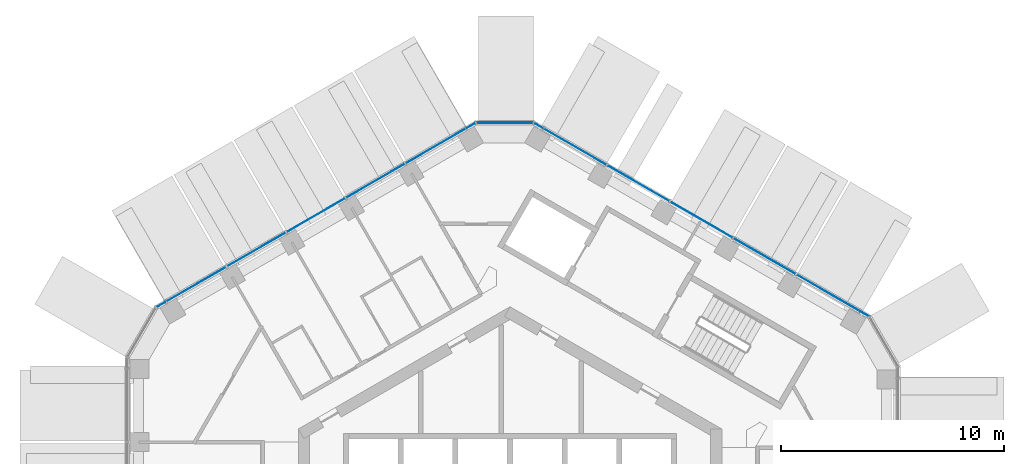
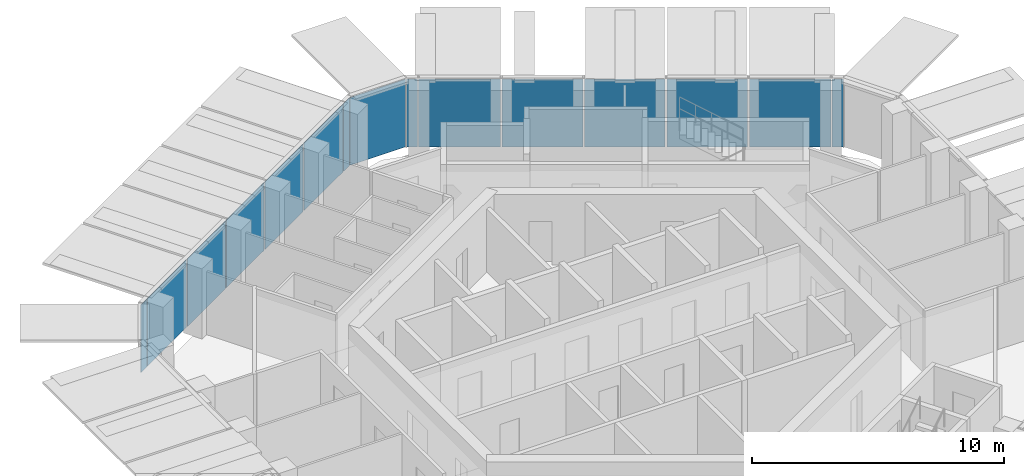
# One storey, part 11 of 17: 15 plates, 5 elements without a shape of their own.
"""IFC4 building model written with IfcOpenShell, lengths in metres."""

from ifc_helpers import new_model, si_unit, direction, frame, origin, origin_2d, place, context, subcontext, project, spatial, rectangle, extrude, material, layer, layer_set, type_object, element, aggregate, save


model = new_model("IFC4")

# Units and contexts
model_context = context("Model", 3, precision=1e-05, world=origin(), true_north=direction((0.0, 1.0)))
body_context = subcontext(model_context, "Body", "Model", "MODEL_VIEW")
ifc_project = project(units=[si_unit("LENGTHUNIT", "METRE"), si_unit("AREAUNIT", "SQUARE_METRE"), si_unit("VOLUMEUNIT", "CUBIC_METRE"), si_unit("PLANEANGLEUNIT", "RADIAN"), si_unit("MASSUNIT", "GRAM", prefix="KILO")], contexts=[model_context])

# Site, building, storey
site_placement = place(None, origin())
site = spatial("IfcSite", under=ifc_project, at=site_placement, CompositionType="ELEMENT")
building_placement = place(site_placement, origin())
building = spatial("IfcBuilding", under=site, at=building_placement, Name="Ayvan Gate Tower", CompositionType="ELEMENT")
storey_placement = place(building_placement, frame((0.0, 0.0, 232.5)))
storey = spatial("IfcBuildingStorey", under=building, at=storey_placement, Name="L62", CompositionType="ELEMENT", Elevation=232.5)

# Curtain wall, plates
ifc_material_1 = material(Name="Bronze anodised aluminium", Category="aluminium")
ifc_layer_1 = layer(ifc_material_1, 0.199951171875)
ifc_layer_set_1 = layer_set([ifc_layer_1], Name="Bronze anodised aluminium")
curtain_wall_type_1 = type_object("IfcCurtainWallType", Name="Stick curtain wall CW-2", PredefinedType="NOTDEFINED", material=ifc_layer_set_1)
curtain_wall_1_placement = place(storey_placement, origin())
curtain_wall_1 = element("IfcCurtainWall", 1, at=curtain_wall_1_placement, inside=storey, type_object=curtain_wall_type_1, Name="Stick curtain wall CW-2 L62", PredefinedType="NOTDEFINED")
ifc_material_2 = material(Name="Clear low-iron laminated glass", Category="glass")
ifc_layer_2 = layer(ifc_material_2, 0.028076171875)
ifc_layer_set_2 = layer_set([ifc_layer_2], Name="Clear low-iron laminated glass")
plate_type_1 = type_object("IfcPlateType", Name="Stick curtain wall CW-2 glass panel", PredefinedType="CURTAIN_PANEL", material=ifc_layer_set_2)
plate_1_placement = place(storey_placement, frame((-3.320068359375, 18.189453125, 0.0), z_axis=(0.0, 0.0, 1.0), x_axis=(-0.866025403784, -0.5, 0.0)))
plate_1 = element("IfcPlate", 2, at=plate_1_placement, type_object=plate_type_1, Name="CW-2 glass panel 1", PredefinedType="CURTAIN_PANEL", context=body_context, shape_type="SweptSolid", body=[
    extrude(rectangle(XDim=3.116943359375, YDim=0.028076171875, at=origin_2d()), origin(), (0.0, 0.0, 1.0), 3.280029296875),
])
plate_2_placement = place(storey_placement, frame((-6.035400390625, 16.62158203125, 0.0), z_axis=(0.0, 0.0, 1.0), x_axis=(-0.866025403784, -0.5, 0.0)))
plate_2 = element("IfcPlate", 3, at=plate_2_placement, type_object=plate_type_1, Name="CW-2 glass panel 2", PredefinedType="CURTAIN_PANEL", context=body_context, shape_type="SweptSolid", body=[
    extrude(rectangle(XDim=3.013916015625, YDim=0.028076171875, at=origin_2d()), origin(), (0.0, 0.0, 1.0), 3.280029296875),
])
plate_3_placement = place(storey_placement, frame((-8.706298828125, 15.07958984375, 0.0), z_axis=(0.0, 0.0, 1.0), x_axis=(-0.866025403784, -0.5, 0.0)))
plate_3 = element("IfcPlate", 4, at=plate_3_placement, type_object=plate_type_1, Name="CW-2 glass panel 3", PredefinedType="CURTAIN_PANEL", context=body_context, shape_type="SweptSolid", body=[
    extrude(rectangle(XDim=3.013916015625, YDim=0.028076171875, at=origin_2d()), origin(), (0.0, 0.0, 1.0), 3.280029296875),
])
plate_4_placement = place(storey_placement, frame((-11.377197265625, 13.53759765625, 0.0), z_axis=(0.0, 0.0, 1.0), x_axis=(-0.866025403784, -0.5, 0.0)))
plate_4 = element("IfcPlate", 5, at=plate_4_placement, type_object=plate_type_1, Name="CW-2 glass panel 4", PredefinedType="CURTAIN_PANEL", context=body_context, shape_type="SweptSolid", body=[
    extrude(rectangle(XDim=3.013916015625, YDim=0.028076171875, at=origin_2d()), origin(), (0.0, 0.0, 1.0), 3.280029296875),
])
plate_5_placement = place(storey_placement, frame((-14.092529296875, 11.969970703125, 0.0), z_axis=(0.0, 0.0, 1.0), x_axis=(-0.866025403784, -0.5, 0.0)))
plate_5 = element("IfcPlate", 6, at=plate_5_placement, type_object=plate_type_1, Name="CW-2 glass panel 5", PredefinedType="CURTAIN_PANEL", context=body_context, shape_type="SweptSolid", body=[
    extrude(rectangle(XDim=3.116943359375, YDim=0.028076171875, at=origin_2d()), origin(), (0.0, 0.0, 1.0), 3.280029296875),
])
aggregate(curtain_wall_1, [plate_1, plate_2, plate_3, plate_4, plate_5])

curtain_wall_2_placement = place(storey_placement, origin())
curtain_wall_2 = element("IfcCurtainWall", 7, at=curtain_wall_2_placement, inside=storey, type_object=curtain_wall_type_1, Name="Stick curtain wall CW-2 L62", PredefinedType="NOTDEFINED")
plate_6_placement = place(storey_placement, frame((14.271728515625, 11.59228515625, 0.0), z_axis=(0.0, 0.0, 1.0), x_axis=(-0.866025403784, 0.5, 0.0)))
plate_6 = element("IfcPlate", 8, at=plate_6_placement, type_object=plate_type_1, Name="CW-2 glass panel 1", PredefinedType="CURTAIN_PANEL", context=body_context, shape_type="SweptSolid", body=[
    extrude(rectangle(XDim=3.2509765625, YDim=0.028076171875, at=origin_2d()), origin(), (0.0, 0.0, 1.0), 3.280029296875),
])
plate_7_placement = place(storey_placement, frame((11.418212890625, 13.23974609375, 0.0), z_axis=(0.0, 0.0, 1.0), x_axis=(-0.866025403784, 0.5, 0.0)))
plate_7 = element("IfcPlate", 9, at=plate_7_placement, type_object=plate_type_1, Name="CW-2 glass panel 2", PredefinedType="CURTAIN_PANEL", context=body_context, shape_type="SweptSolid", body=[
    extrude(rectangle(XDim=3.198974609375, YDim=0.028076171875, at=origin_2d()), origin(), (0.0, 0.0, 1.0), 3.280029296875),
])
plate_8_placement = place(storey_placement, frame((8.587158203125, 14.874267578125, 0.0), z_axis=(0.0, 0.0, 1.0), x_axis=(-0.866025403784, 0.5, 0.0)))
plate_8 = element("IfcPlate", 10, at=plate_8_placement, type_object=plate_type_1, Name="CW-2 glass panel 3", PredefinedType="CURTAIN_PANEL", context=body_context, shape_type="SweptSolid", body=[
    extrude(rectangle(XDim=3.198974609375, YDim=0.028076171875, at=origin_2d()), origin(), (0.0, 0.0, 1.0), 3.280029296875),
])
plate_9_placement = place(storey_placement, frame((5.756591796875, 16.508544921875, 0.0), z_axis=(0.0, 0.0, 1.0), x_axis=(-0.866025403784, 0.5, 0.0)))
plate_9 = element("IfcPlate", 11, at=plate_9_placement, type_object=plate_type_1, Name="CW-2 glass panel 4", PredefinedType="CURTAIN_PANEL", context=body_context, shape_type="SweptSolid", body=[
    extrude(rectangle(XDim=3.197998046875, YDim=0.028076171875, at=origin_2d()), origin(), (0.0, 0.0, 1.0), 3.280029296875),
])
plate_10_placement = place(storey_placement, frame((2.9033203125, 18.15576171875, 0.0), z_axis=(0.0, 0.0, 1.0), x_axis=(-0.866025403784, 0.5, 0.0)))
plate_10 = element("IfcPlate", 12, at=plate_10_placement, type_object=plate_type_1, Name="CW-2 glass panel 5", PredefinedType="CURTAIN_PANEL", context=body_context, shape_type="SweptSolid", body=[
    extrude(rectangle(XDim=3.251220703125, YDim=0.028076171875, at=origin_2d()), origin(), (0.0, 0.0, 1.0), 3.280029296875),
])
aggregate(curtain_wall_2, [plate_6, plate_7, plate_8, plate_9, plate_10])

# Curtain wall, plate
ifc_layer_3 = layer(ifc_material_1, 0.199951171875)
ifc_layer_set_3 = layer_set([ifc_layer_3], Name="Bronze anodised aluminium")
curtain_wall_type_2 = type_object("IfcCurtainWallType", Name="Stick curtain wall CW-6", PredefinedType="NOTDEFINED", material=ifc_layer_set_3)
curtain_wall_3_placement = place(storey_placement, origin())
curtain_wall_3 = element("IfcCurtainWall", 13, at=curtain_wall_3_placement, inside=storey, type_object=curtain_wall_type_2, Name="Stick curtain wall CW-6 L62", PredefinedType="NOTDEFINED")
ifc_layer_4 = layer(ifc_material_2, 0.028076171875)
ifc_layer_set_4 = layer_set([ifc_layer_4], Name="Clear low-iron laminated glass")
plate_type_2 = type_object("IfcPlateType", Name="Stick curtain wall CW-6 glass panel", PredefinedType="CURTAIN_PANEL", material=ifc_layer_set_4)
plate_11_placement = place(storey_placement, frame((-15.667236328125, 11.060791015625, 0.0), z_axis=(0.0, 0.0, 1.0), x_axis=(-0.866025403784, -0.5, 0.0)))
plate_11 = element("IfcPlate", 14, at=plate_11_placement, type_object=plate_type_2, Name="CW-6 glass panel 1", PredefinedType="CURTAIN_PANEL", context=body_context, shape_type="SweptSolid", body=[
    extrude(rectangle(XDim=0.449951171875, YDim=0.028076171875, at=origin_2d()), origin(), (0.0, 0.0, 1.0), 3.280029296875),
])
aggregate(curtain_wall_3, [plate_11])

curtain_wall_4_placement = place(storey_placement, origin())
curtain_wall_4 = element("IfcCurtainWall", 15, at=curtain_wall_4_placement, inside=storey, type_object=curtain_wall_type_2, Name="Stick curtain wall CW-6 L62", PredefinedType="NOTDEFINED")
plate_12_placement = place(storey_placement, frame((15.90478515625, 10.6494140625, 0.0), z_axis=(0.0, 0.0, 1.0), x_axis=(-0.866025403784, 0.5, 0.0)))
plate_12 = element("IfcPlate", 16, at=plate_12_placement, type_object=plate_type_2, Name="CW-6 glass panel 3", PredefinedType="CURTAIN_PANEL", context=body_context, shape_type="SweptSolid", body=[
    extrude(rectangle(XDim=0.449951171875, YDim=0.028076171875, at=origin_2d()), origin(), (0.0, 0.0, 1.0), 3.280029296875),
])
aggregate(curtain_wall_4, [plate_12])

# Curtain wall, plates
curtain_wall_5_placement = place(storey_placement, origin())
curtain_wall_5 = element("IfcCurtainWall", 17, at=curtain_wall_5_placement, inside=storey, type_object=curtain_wall_type_2, Name="Stick curtain wall CW-6 L62", PredefinedType="NOTDEFINED")
plate_13_placement = place(storey_placement, frame((1.2705078125, 19.0986328125, 0.0), z_axis=(0.0, 0.0, 1.0), x_axis=(-0.866025403784, 0.5, 0.0)))
plate_13 = element("IfcPlate", 18, at=plate_13_placement, type_object=plate_type_2, Name="CW-6 glass panel 1", PredefinedType="CURTAIN_PANEL", context=body_context, shape_type="SweptSolid", body=[
    extrude(rectangle(XDim=0.449951171875, YDim=0.028076171875, at=origin_2d()), origin(), (0.0, 0.0, 1.0), 3.280029296875),
])
plate_14_placement = place(storey_placement, frame((-0.2373046875, 19.2236328125, 0.0), z_axis=(0.0, 0.0, 1.0), x_axis=(-1.0, 0.0, 0.0)))
plate_14 = element("IfcPlate", 19, at=plate_14_placement, type_object=plate_type_2, Name="CW-6 glass panel 2", PredefinedType="CURTAIN_PANEL", context=body_context, shape_type="SweptSolid", body=[
    extrude(rectangle(XDim=2.532470703125, YDim=0.028076171875, at=origin_2d()), origin(), (0.0, 0.0, 1.0), 3.280029296875),
])
plate_15_placement = place(storey_placement, frame((-1.7451171875, 19.0986328125, 0.0), z_axis=(0.0, 0.0, 1.0), x_axis=(-0.866025403784, -0.5, 0.0)))
plate_15 = element("IfcPlate", 20, at=plate_15_placement, type_object=plate_type_2, Name="CW-6 glass panel 3", PredefinedType="CURTAIN_PANEL", context=body_context, shape_type="SweptSolid", body=[
    extrude(rectangle(XDim=0.449951171875, YDim=0.028076171875, at=origin_2d()), origin(), (0.0, 0.0, 1.0), 3.280029296875),
])
aggregate(curtain_wall_5, [plate_13, plate_14, plate_15])

save(model, "model.ifc")
